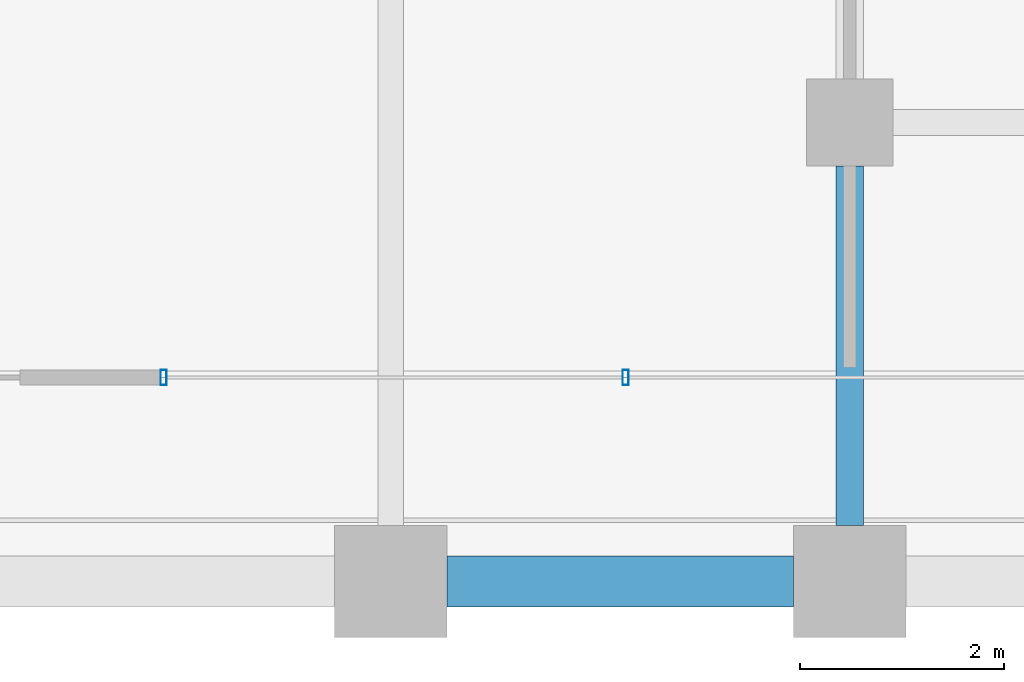
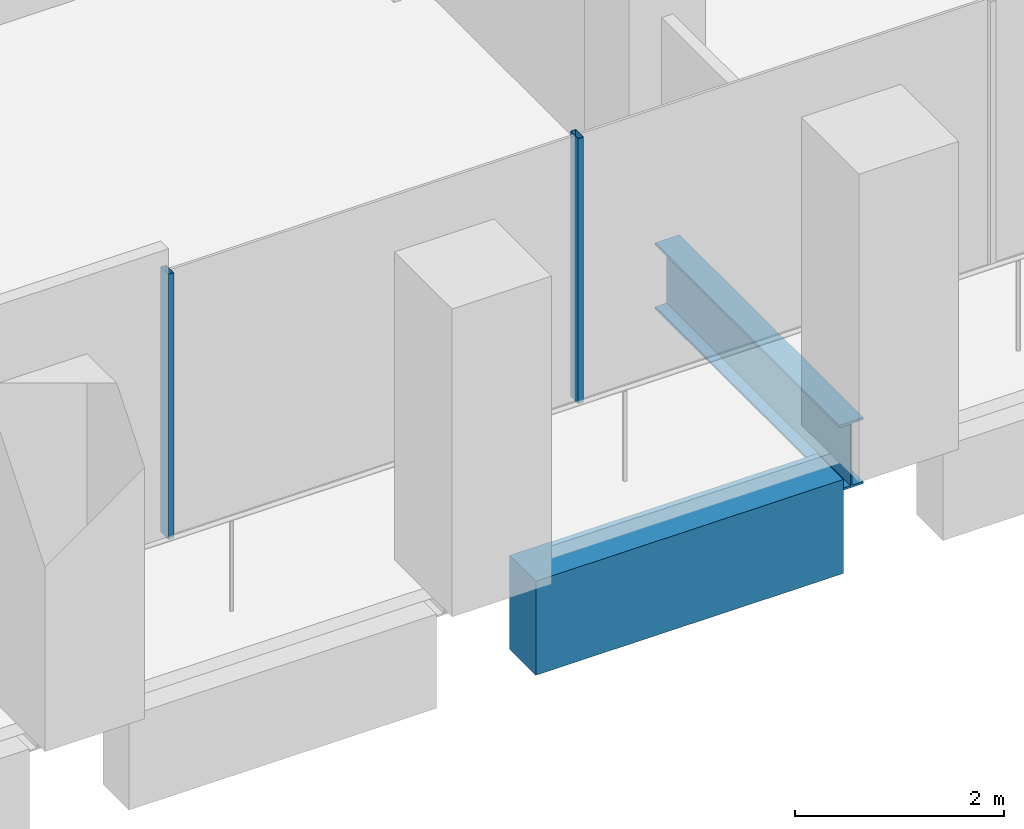
# One storey, part 9 of 56: 2 beams, 2 members, 1 element without a shape of its own.
"""IFC4 building model written with IfcOpenShell, lengths in metres."""

from ifc_helpers import new_model, si_unit, direction, frame, origin, origin_2d, place, context, subcontext, project, spatial, rectangle, hollow_rectangle, i_section, extrude, material, material_profile, profile_set, type_object, element, aggregate, save


model = new_model("IFC4")

# Units and contexts
model_context = context("Model", 3, precision=1e-05, world=origin(), true_north=direction((0.0, 1.0)))
body_context = subcontext(model_context, "Body", "Model", "MODEL_VIEW")
ifc_project = project(units=[si_unit("LENGTHUNIT", "METRE"), si_unit("AREAUNIT", "SQUARE_METRE"), si_unit("VOLUMEUNIT", "CUBIC_METRE"), si_unit("PLANEANGLEUNIT", "RADIAN"), si_unit("MASSUNIT", "GRAM", prefix="KILO")], contexts=[model_context])

# Site, building, storey
site_placement = place(None, origin())
site = spatial("IfcSite", under=ifc_project, at=site_placement, CompositionType="ELEMENT")
building_placement = place(site_placement, origin())
building = spatial("IfcBuilding", under=site, at=building_placement, Name="Altepetl Exchange Towers", CompositionType="ELEMENT")
storey_placement = place(building_placement, frame((0.0, 0.0, 83.39990234375)))
storey = spatial("IfcBuildingStorey", under=building, at=storey_placement, Name="L20", CompositionType="ELEMENT", Elevation=83.39990234375)

# Beam
ifc_material_1 = material(Name="Steel S355", Category="steel")
ifc_material_profile_1 = material_profile(ifc_material_1, i_section(OverallWidth=0.26806640625, OverallDepth=0.77392578125, WebThickness=0.015380859375, FlangeThickness=0.025390625, at=origin_2d()), Name="W30X132")
ifc_profile_set_1 = profile_set([ifc_material_profile_1], Name="Steel S355")
beam_type_1 = type_object("IfcBeamType", Name="Girder W30X132", PredefinedType="BEAM", material=ifc_profile_set_1)
beam_1_placement = place(storey_placement, frame((58.5, 31.074951171875, -0.536865234375), z_axis=(0.0, -1.0, 0.0), x_axis=(1.0, 0.0, 0.0)))
element("IfcBeam", 1, at=beam_1_placement, inside=storey, type_object=beam_type_1, Name="gd:A:L20:008", PredefinedType="BEAM", context=body_context, shape_type="SweptSolid", body=[
    extrude(i_section(OverallWidth=0.26806640625, OverallDepth=0.77392578125, WebThickness=0.015380859375, FlangeThickness=0.025390625, at=origin_2d()), origin(), (0.0, 0.0, 1.0), 3.52490234375),
])

# Curtain wall, members
ifc_material_2 = material(Name="Aluminium 6063-T6 glazing", Category="aluminium")
curtain_wall_type = type_object("IfcCurtainWallType", Name="Loggia glazing system", PredefinedType="NOTDEFINED", material=ifc_material_2)
curtain_wall_placement = place(storey_placement, origin())
curtain_wall = element("IfcCurtainWall", 2, at=curtain_wall_placement, inside=storey, type_object=curtain_wall_type, Name="CW1 run", PredefinedType="NOTDEFINED")
ifc_material_3 = material(Name="Aluminium 6063-T6", Category="aluminium")
ifc_material_profile_2 = material_profile(ifc_material_3, hollow_rectangle(XDim=0.06005859375, YDim=0.14990234375, WallThickness=0.0029296875, at=origin_2d()), Name="Mullion 60x150 aluminium")
ifc_profile_set_2 = profile_set([ifc_material_profile_2], Name="Aluminium 6063-T6")
member_type = type_object("IfcMemberType", Name="Mullion 60x150 aluminium", PredefinedType="MULLION", material=ifc_profile_set_2)
member_1_placement = place(storey_placement, frame((51.77294921875, 29.0, 0.0)))
member_1 = element("IfcMember", 3, at=member_1_placement, type_object=member_type, Name="MU1 mullion", PredefinedType="MULLION", context=body_context, shape_type="SweptSolid", body=[
    extrude(hollow_rectangle(XDim=0.06005859375, YDim=0.14990234375, WallThickness=0.0029296875, at=origin_2d()), origin(), (0.0, 0.0, 1.0), 3.10009765625),
])
member_2_placement = place(storey_placement, frame((56.303466796875, 29.0, 0.0)))
member_2 = element("IfcMember", 4, at=member_2_placement, type_object=member_type, Name="MU1 mullion", PredefinedType="MULLION", context=body_context, shape_type="SweptSolid", body=[
    extrude(hollow_rectangle(XDim=0.06005859375, YDim=0.14990234375, WallThickness=0.0029296875, at=origin_2d()), origin(), (0.0, 0.0, 1.0), 3.10009765625),
])
aggregate(curtain_wall, [member_1, member_2])

# Beam
ifc_material_4 = material(Name="Concrete C50/60 precast with cantera blanca facing", Category="concrete")
ifc_material_profile_3 = material_profile(ifc_material_4, rectangle(XDim=0.5, YDim=1.10009765625, at=origin_2d()), Name="500 x 1100")
ifc_profile_set_3 = profile_set([ifc_material_profile_3], Name="Concrete C50/60 precast with cantera blanca facing")
beam_type_2 = type_object("IfcBeamType", Name="Spandrel beam 500x1100 cantera blanca", PredefinedType="SPANDREL", material=ifc_profile_set_3)
beam_2_placement = place(storey_placement, frame((54.550048828125, 27.0, -0.699951171875), z_axis=(1.0, 0.0, 0.0), x_axis=(0.0, 1.0, 0.0)))
element("IfcBeam", 5, at=beam_2_placement, inside=storey, type_object=beam_type_2, Name="sp:A:L20:005", PredefinedType="SPANDREL", context=body_context, shape_type="SweptSolid", body=[
    extrude(rectangle(XDim=0.5, YDim=1.10009765625, at=origin_2d()), origin(), (0.0, 0.0, 1.0), 3.39990234375),
])

save(model, "model.ifc")
